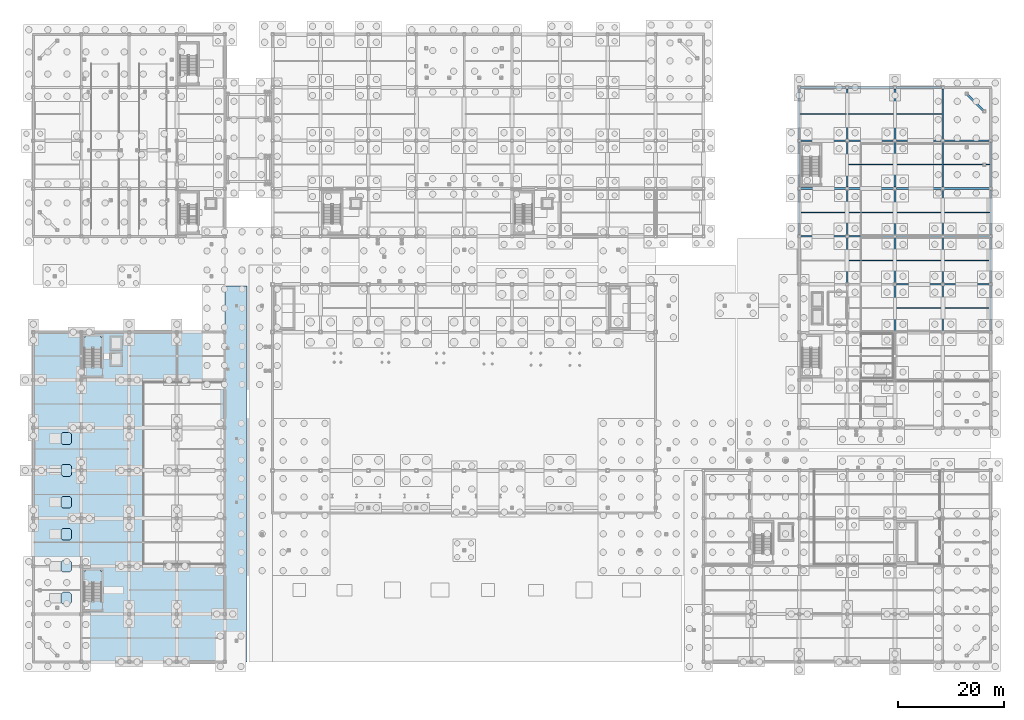
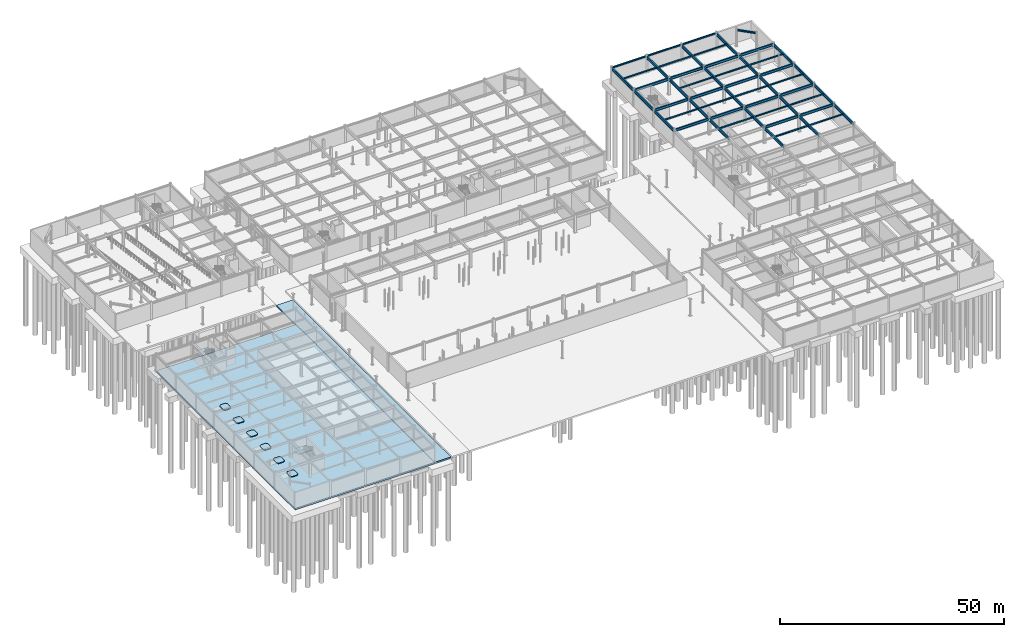
# One storey, part 43 of 74: 54 beams, 10 slabs, 2 elements without a shape of their own.
"""IFC4 building model written with IfcOpenShell, lengths in metres."""

from ifc_helpers import new_model, si_unit, direction, frame, origin, origin_2d, place, context, subcontext, project, spatial, polyline, i_section, outline, extrude, material, layer, layer_set, material_profile, profile_set, type_object, element, aggregate, save


model = new_model("IFC4")

# Units and contexts
model_context = context("Model", 3, precision=1e-05, world=origin(), true_north=direction((0.0, 1.0)))
body_context = subcontext(model_context, "Body", "Model", "MODEL_VIEW")
ifc_project = project(units=[si_unit("LENGTHUNIT", "METRE"), si_unit("AREAUNIT", "SQUARE_METRE"), si_unit("VOLUMEUNIT", "CUBIC_METRE"), si_unit("PLANEANGLEUNIT", "RADIAN"), si_unit("MASSUNIT", "GRAM", prefix="KILO")], contexts=[model_context])

# Site, building, storey
site_placement = place(None, origin())
site = spatial("IfcSite", under=ifc_project, at=site_placement, CompositionType="ELEMENT")
building_placement = place(site_placement, origin())
building = spatial("IfcBuilding", under=site, at=building_placement, Name="Suzunagisa Mobility Hub", CompositionType="ELEMENT")
storey_placement = place(building_placement, frame((0.0, 0.0, -4.800048828125)))
storey = spatial("IfcBuildingStorey", under=building, at=storey_placement, Name="B1", CompositionType="ELEMENT", Elevation=-4.800048828125)

# Beams
ifc_material_1 = material(Name="Steel SN490B", Category="steel")
ifc_material_profile_1 = material_profile(ifc_material_1, i_section(OverallWidth=0.300048828125, OverallDepth=0.800048828125, WebThickness=0.013916015625, FlangeThickness=0.02587890625, FilletRadius=0.01806640625, at=origin_2d()), Name="H-800x300x14x26")
ifc_profile_set_1 = profile_set([ifc_material_profile_1], Name="Steel SN490B")
beam_type_1 = type_object("IfcBeamType", Name="Steel Beam BM-09 H-800x300x14x26", PredefinedType="BEAM", material=ifc_profile_set_1)
for number, where, z_axis, x_axis, name in (
    (1, (144.0, 80.24609375, 4.1201171875), (0.0, 1.0, 0.0), (-1.0, 0.0, 0.0), "B1 Primary Girder GY-1652"),
    (2, (144.0, 89.24609375, 4.1201171875), (0.0, 1.0, 0.0), (-1.0, 0.0, 0.0), "B1 Primary Girder GY-1653"),
):
    element("IfcBeam", number, at=place(storey_placement, frame(where, z_axis=z_axis, x_axis=x_axis)), inside=storey, type_object=beam_type_1, Name=name, PredefinedType="BEAM", context=body_context, shape_type="SweptSolid", body=[
        extrude(i_section(OverallWidth=0.300048828125, OverallDepth=0.800048828125, WebThickness=0.013916015625, FlangeThickness=0.02587890625, FilletRadius=0.01806640625, at=origin_2d()), origin(), (0.0, 0.0, 1.0), 8.5078125),
    ])
beam_1_placement = place(storey_placement, frame((144.0, 98.24609375, 4.1201171875), z_axis=(0.0, 1.0, 0.0), x_axis=(-1.0, 0.0, 0.0)))
element("IfcBeam", 3, at=beam_1_placement, inside=storey, type_object=beam_type_1, Name="B1 Primary Girder GY-1654", PredefinedType="BEAM", context=body_context, shape_type="SweptSolid", body=[
    extrude(i_section(OverallWidth=0.300048828125, OverallDepth=0.800048828125, WebThickness=0.013916015625, FlangeThickness=0.02587890625, FilletRadius=0.01806640625, at=origin_2d()), origin(), (0.0, 0.0, 1.0), 9.5078125),
])
for number, where, z_axis, x_axis, name in (
    (4, (153.0, 71.24609375, 4.1201171875), (0.0, 1.0, 0.0), (-1.0, 0.0, 0.0), "B1 Primary Girder GY-1658"),
    (5, (153.0, 80.24609375, 4.1201171875), (0.0, 1.0, 0.0), (-1.0, 0.0, 0.0), "B1 Primary Girder GY-1659"),
    (6, (153.0, 89.24609375, 4.1201171875), (0.0, 1.0, 0.0), (-1.0, 0.0, 0.0), "B1 Primary Girder GY-1660"),
):
    element("IfcBeam", number, at=place(storey_placement, frame(where, z_axis=z_axis, x_axis=x_axis)), inside=storey, type_object=beam_type_1, Name=name, PredefinedType="BEAM", context=body_context, shape_type="SweptSolid", body=[
        extrude(i_section(OverallWidth=0.300048828125, OverallDepth=0.800048828125, WebThickness=0.013916015625, FlangeThickness=0.02587890625, FilletRadius=0.01806640625, at=origin_2d()), origin(), (0.0, 0.0, 1.0), 8.5078125),
    ])
beam_2_placement = place(storey_placement, frame((153.0, 98.24609375, 4.1201171875), z_axis=(0.0, 1.0, 0.0), x_axis=(-1.0, 0.0, 0.0)))
element("IfcBeam", 7, at=beam_2_placement, inside=storey, type_object=beam_type_1, Name="B1 Primary Girder GY-1661", PredefinedType="BEAM", context=body_context, shape_type="SweptSolid", body=[
    extrude(i_section(OverallWidth=0.300048828125, OverallDepth=0.800048828125, WebThickness=0.013916015625, FlangeThickness=0.02587890625, FilletRadius=0.01806640625, at=origin_2d()), origin(), (0.0, 0.0, 1.0), 9.5078125),
])
for number, where, z_axis, x_axis, name in (
    (8, (162.0, 62.24609375, 4.1201171875), (0.0, 1.0, 0.0), (-1.0, 0.0, 0.0), "B1 Primary Girder GY-1664"),
    (9, (162.0, 71.24609375, 4.1201171875), (0.0, 1.0, 0.0), (-1.0, 0.0, 0.0), "B1 Primary Girder GY-1665"),
    (10, (162.0, 80.24609375, 4.1201171875), (0.0, 1.0, 0.0), (-1.0, 0.0, 0.0), "B1 Primary Girder GY-1666"),
    (11, (162.0, 89.24609375, 4.1201171875), (0.0, 1.0, 0.0), (-1.0, 0.0, 0.0), "B1 Primary Girder GY-1667"),
):
    element("IfcBeam", number, at=place(storey_placement, frame(where, z_axis=z_axis, x_axis=x_axis)), inside=storey, type_object=beam_type_1, Name=name, PredefinedType="BEAM", context=body_context, shape_type="SweptSolid", body=[
        extrude(i_section(OverallWidth=0.300048828125, OverallDepth=0.800048828125, WebThickness=0.013916015625, FlangeThickness=0.02587890625, FilletRadius=0.01806640625, at=origin_2d()), origin(), (0.0, 0.0, 1.0), 8.5078125),
    ])
beam_3_placement = place(storey_placement, frame((162.0, 98.24609375, 4.1201171875), z_axis=(0.0, 1.0, 0.0), x_axis=(-1.0, 0.0, 0.0)))
element("IfcBeam", 12, at=beam_3_placement, inside=storey, type_object=beam_type_1, Name="B1 Primary Girder GY-1668", PredefinedType="BEAM", context=body_context, shape_type="SweptSolid", body=[
    extrude(i_section(OverallWidth=0.300048828125, OverallDepth=0.800048828125, WebThickness=0.013916015625, FlangeThickness=0.02587890625, FilletRadius=0.01806640625, at=origin_2d()), origin(), (0.0, 0.0, 1.0), 9.5078125),
])
for number, where, z_axis, x_axis, name in (
    (13, (171.0, 62.24609375, 4.1201171875), (0.0, 1.0, 0.0), (-1.0, 0.0, 0.0), "B1 Primary Girder GY-1671"),
    (14, (171.0, 71.24609375, 4.1201171875), (0.0, 1.0, 0.0), (-1.0, 0.0, 0.0), "B1 Primary Girder GY-1672"),
    (15, (171.0, 80.24609375, 4.1201171875), (0.0, 1.0, 0.0), (-1.0, 0.0, 0.0), "B1 Primary Girder GY-1673"),
    (16, (171.0, 89.24609375, 4.1201171875), (0.0, 1.0, 0.0), (-1.0, 0.0, 0.0), "B1 Primary Girder GY-1674"),
):
    element("IfcBeam", number, at=place(storey_placement, frame(where, z_axis=z_axis, x_axis=x_axis)), inside=storey, type_object=beam_type_1, Name=name, PredefinedType="BEAM", context=body_context, shape_type="SweptSolid", body=[
        extrude(i_section(OverallWidth=0.300048828125, OverallDepth=0.800048828125, WebThickness=0.013916015625, FlangeThickness=0.02587890625, FilletRadius=0.01806640625, at=origin_2d()), origin(), (0.0, 0.0, 1.0), 8.5078125),
    ])
beam_4_placement = place(storey_placement, frame((171.0, 98.24609375, 4.1201171875), z_axis=(0.0, 1.0, 0.0), x_axis=(-1.0, 0.0, 0.0)))
element("IfcBeam", 17, at=beam_4_placement, inside=storey, type_object=beam_type_1, Name="B1 Primary Girder GY-1675", PredefinedType="BEAM", context=body_context, shape_type="SweptSolid", body=[
    extrude(i_section(OverallWidth=0.300048828125, OverallDepth=0.800048828125, WebThickness=0.013916015625, FlangeThickness=0.02587890625, FilletRadius=0.01806640625, at=origin_2d()), origin(), (0.0, 0.0, 1.0), 9.5078125),
])
for number, where, z_axis, x_axis, name in (
    (18, (180.0, 62.24609375, 4.1201171875), (0.0, 1.0, 0.0), (-1.0, 0.0, 0.0), "B1 Primary Girder GY-1678"),
    (19, (180.0, 71.24609375, 4.1201171875), (0.0, 1.0, 0.0), (-1.0, 0.0, 0.0), "B1 Primary Girder GY-1679"),
    (20, (180.0, 80.24609375, 4.1201171875), (0.0, 1.0, 0.0), (-1.0, 0.0, 0.0), "B1 Primary Girder GY-1680"),
    (21, (180.0, 89.24609375, 4.1201171875), (0.0, 1.0, 0.0), (-1.0, 0.0, 0.0), "B1 Primary Girder GY-1681"),
):
    element("IfcBeam", number, at=place(storey_placement, frame(where, z_axis=z_axis, x_axis=x_axis)), inside=storey, type_object=beam_type_1, Name=name, PredefinedType="BEAM", context=body_context, shape_type="SweptSolid", body=[
        extrude(i_section(OverallWidth=0.300048828125, OverallDepth=0.800048828125, WebThickness=0.013916015625, FlangeThickness=0.02587890625, FilletRadius=0.01806640625, at=origin_2d()), origin(), (0.0, 0.0, 1.0), 8.5078125),
    ])
ifc_material_profile_2 = material_profile(ifc_material_1, i_section(OverallWidth=0.300048828125, OverallDepth=0.699951171875, WebThickness=0.012939453125, FlangeThickness=0.02392578125, FilletRadius=0.01806640625, at=origin_2d()), Name="H-700x300x13x24")
ifc_profile_set_2 = profile_set([ifc_material_profile_2], Name="Steel SN490B")
beam_type_2 = type_object("IfcBeamType", Name="Steel Beam BM-11 H-700x300x13x24", PredefinedType="BEAM", material=ifc_profile_set_2)
for number, where, z_axis, x_axis, name in (
    (22, (162.24609375, 71.0, 4.170166015625), (1.0, 0.0, 0.0), (0.0, 1.0, 0.0), "B1 Primary Girder GX-1631"),
    (23, (171.24609375, 71.0, 4.170166015625), (1.0, 0.0, 0.0), (0.0, 1.0, 0.0), "B1 Primary Girder GX-1632"),
    (24, (144.24609375, 80.0, 4.170166015625), (1.0, 0.0, 0.0), (0.0, 1.0, 0.0), "B1 Primary Girder GX-1633"),
    (25, (153.24609375, 80.0, 4.170166015625), (1.0, 0.0, 0.0), (0.0, 1.0, 0.0), "B1 Primary Girder GX-1634"),
    (26, (162.24609375, 80.0, 4.170166015625), (1.0, 0.0, 0.0), (0.0, 1.0, 0.0), "B1 Primary Girder GX-1635"),
    (27, (171.24609375, 80.0, 4.170166015625), (1.0, 0.0, 0.0), (0.0, 1.0, 0.0), "B1 Primary Girder GX-1636"),
    (28, (144.24609375, 89.0, 4.170166015625), (1.0, 0.0, 0.0), (0.0, 1.0, 0.0), "B1 Primary Girder GX-1637"),
    (29, (153.24609375, 89.0, 4.170166015625), (1.0, 0.0, 0.0), (0.0, 1.0, 0.0), "B1 Primary Girder GX-1638"),
    (30, (162.24609375, 89.0, 4.170166015625), (1.0, 0.0, 0.0), (0.0, 1.0, 0.0), "B1 Primary Girder GX-1639"),
    (31, (171.24609375, 89.0, 4.170166015625), (1.0, 0.0, 0.0), (0.0, 1.0, 0.0), "B1 Primary Girder GX-1640"),
    (32, (144.24609375, 98.0, 4.170166015625), (1.0, 0.0, 0.0), (0.0, 1.0, 0.0), "B1 Primary Girder GX-1641"),
    (33, (153.24609375, 98.0, 4.170166015625), (1.0, 0.0, 0.0), (0.0, 1.0, 0.0), "B1 Primary Girder GX-1642"),
    (34, (162.24609375, 98.0, 4.170166015625), (1.0, 0.0, 0.0), (0.0, 1.0, 0.0), "B1 Primary Girder GX-1643"),
    (35, (171.24609375, 98.0, 4.170166015625), (1.0, 0.0, 0.0), (0.0, 1.0, 0.0), "B1 Primary Girder GX-1644"),
):
    element("IfcBeam", number, at=place(storey_placement, frame(where, z_axis=z_axis, x_axis=x_axis)), inside=storey, type_object=beam_type_2, Name=name, PredefinedType="BEAM", context=body_context, shape_type="SweptSolid", body=[
        extrude(i_section(OverallWidth=0.300048828125, OverallDepth=0.699951171875, WebThickness=0.012939453125, FlangeThickness=0.02392578125, FilletRadius=0.01806640625, at=origin_2d()), origin(), (0.0, 0.0, 1.0), 8.5078125),
    ])
ifc_material_profile_3 = material_profile(ifc_material_1, i_section(OverallWidth=0.39990234375, OverallDepth=0.39990234375, WebThickness=0.012939453125, FlangeThickness=0.02099609375, FilletRadius=0.01611328125, at=origin_2d()), Name="H-400x400x13x21")
ifc_profile_set_3 = profile_set([ifc_material_profile_3], Name="Steel SN490B")
beam_type_3 = type_object("IfcBeamType", Name="Steel Beam BM-12 H-400x400x13x21", PredefinedType="SPANDREL", material=ifc_profile_set_3)
beam_5_placement = place(storey_placement, frame((178.632568359375, 103.66162109375, 4.320068359375), z_axis=(-0.707106781187, 0.707106781187, 0.0), x_axis=(-0.707106781187, -0.707106781187, 0.0)))
element("IfcBeam", 36, at=beam_5_placement, inside=storey, type_object=beam_type_3, Name="B1 Streamline Prow Spandrel 1682", PredefinedType="SPANDREL", context=body_context, shape_type="SweptSolid", body=[
    extrude(i_section(OverallWidth=0.39990234375, OverallDepth=0.39990234375, WebThickness=0.012939453125, FlangeThickness=0.02099609375, FilletRadius=0.01611328125, at=origin_2d()), origin(), (0.0, 0.0, 1.0), 4.20166015625),
])
ifc_material_profile_4 = material_profile(ifc_material_1, i_section(OverallWidth=0.300048828125, OverallDepth=0.389892578125, WebThickness=0.010009765625, FlangeThickness=0.01611328125, FilletRadius=0.012939453125, at=origin_2d()), Name="H-390x300x10x16")
ifc_profile_set_4 = profile_set([ifc_material_profile_4], Name="Steel SN490B")
beam_type_4 = type_object("IfcBeamType", Name="Steel Beam BM-13 H-390x300x10x16", PredefinedType="SPANDREL", material=ifc_profile_set_4)
for number, where, z_axis, x_axis, name in (
    (37, (144.24609375, 108.0, 4.324951171875), (1.0, 0.0, 0.0), (0.0, 1.0, 0.0), "B1 Primary Girder GX-1645"),
    (38, (153.24609375, 108.0, 4.324951171875), (1.0, 0.0, 0.0), (0.0, 1.0, 0.0), "B1 Primary Girder GX-1646"),
    (39, (162.24609375, 108.0, 4.324951171875), (1.0, 0.0, 0.0), (0.0, 1.0, 0.0), "B1 Primary Girder GX-1647"),
):
    element("IfcBeam", number, at=place(storey_placement, frame(where, z_axis=z_axis, x_axis=x_axis)), inside=storey, type_object=beam_type_4, Name=name, PredefinedType="SPANDREL", context=body_context, shape_type="SweptSolid", body=[
        extrude(i_section(OverallWidth=0.300048828125, OverallDepth=0.389892578125, WebThickness=0.010009765625, FlangeThickness=0.01611328125, FilletRadius=0.012939453125, at=origin_2d()), origin(), (0.0, 0.0, 1.0), 8.5078125),
    ])
ifc_material_2 = material(Name="Steel SN400B", Category="steel")
ifc_material_profile_5 = material_profile(ifc_material_2, i_section(OverallWidth=0.199951171875, OverallDepth=0.39990234375, WebThickness=0.008056640625, FlangeThickness=0.012939453125, FilletRadius=0.012939453125, at=origin_2d()), Name="H-400x200x8x13")
ifc_profile_set_5 = profile_set([ifc_material_profile_5], Name="Steel SN400B")
beam_type_5 = type_object("IfcBeamType", Name="Steel Beam BM-14 H-400x200x8x13", PredefinedType="JOIST", material=ifc_profile_set_5)
for number, where, z_axis, x_axis, name in (
    (40, (144.14990234375, 84.5, 4.320068359375), (1.0, 0.0, 0.0), (0.0, 1.0, 0.0), "B1 Composite Floor Joist J-1685"),
    (41, (144.14990234375, 103.0, 4.320068359375), (1.0, 0.0, 0.0), (0.0, 1.0, 0.0), "B1 Composite Floor Joist J-1686"),
    (42, (153.14990234375, 75.5, 4.320068359375), (1.0, 0.0, 0.0), (0.0, 1.0, 0.0), "B1 Composite Floor Joist J-1690"),
    (43, (153.14990234375, 84.5, 4.320068359375), (1.0, 0.0, 0.0), (0.0, 1.0, 0.0), "B1 Composite Floor Joist J-1691"),
    (44, (153.14990234375, 93.5, 4.320068359375), (1.0, 0.0, 0.0), (0.0, 1.0, 0.0), "B1 Composite Floor Joist J-1692"),
    (45, (153.14990234375, 103.0, 4.320068359375), (1.0, 0.0, 0.0), (0.0, 1.0, 0.0), "B1 Composite Floor Joist J-1693"),
    (46, (162.14990234375, 66.5, 4.320068359375), (1.0, 0.0, 0.0), (0.0, 1.0, 0.0), "B1 Composite Floor Joist J-1695"),
    (47, (162.14990234375, 75.5, 4.320068359375), (1.0, 0.0, 0.0), (0.0, 1.0, 0.0), "B1 Composite Floor Joist J-1696"),
    (48, (162.14990234375, 84.5, 4.320068359375), (1.0, 0.0, 0.0), (0.0, 1.0, 0.0), "B1 Composite Floor Joist J-1697"),
    (49, (162.14990234375, 93.5, 4.320068359375), (1.0, 0.0, 0.0), (0.0, 1.0, 0.0), "B1 Composite Floor Joist J-1698"),
    (50, (162.14990234375, 103.0, 4.320068359375), (1.0, 0.0, 0.0), (0.0, 1.0, 0.0), "B1 Composite Floor Joist J-1699"),
    (51, (171.14990234375, 66.5, 4.320068359375), (1.0, 0.0, 0.0), (0.0, 1.0, 0.0), "B1 Composite Floor Joist J-1702"),
    (52, (171.14990234375, 75.5, 4.320068359375), (1.0, 0.0, 0.0), (0.0, 1.0, 0.0), "B1 Composite Floor Joist J-1703"),
    (53, (171.14990234375, 84.5, 4.320068359375), (1.0, 0.0, 0.0), (0.0, 1.0, 0.0), "B1 Composite Floor Joist J-1704"),
    (54, (171.14990234375, 93.5, 4.320068359375), (1.0, 0.0, 0.0), (0.0, 1.0, 0.0), "B1 Composite Floor Joist J-1705"),
):
    element("IfcBeam", number, at=place(storey_placement, frame(where, z_axis=z_axis, x_axis=x_axis)), inside=storey, type_object=beam_type_5, Name=name, PredefinedType="JOIST", context=body_context, shape_type="SweptSolid", body=[
        extrude(i_section(OverallWidth=0.199951171875, OverallDepth=0.39990234375, WebThickness=0.008056640625, FlangeThickness=0.012939453125, FilletRadius=0.012939453125, at=origin_2d()), origin(), (0.0, 0.0, 1.0), 8.7001953125),
    ])

# Slabs
ifc_material_3 = material(Name="Concrete C35/45", Category="concrete")
ifc_layer_1 = layer(ifc_material_3, 0.419921875)
ifc_layer_set_1 = layer_set([ifc_layer_1], Name="Concrete C35/45")
slab_type_1 = type_object("IfcSlabType", Name="Composite Slab SL-05 420mm", PredefinedType="BASESLAB", material=ifc_layer_set_1)
slab_1_placement = place(storey_placement, frame((0.0, 0.0, -0.419921875)))
element("IfcSlab", 55, at=slab_1_placement, inside=storey, type_object=slab_type_1, Name="B1 V5 Baseslab Slab", PredefinedType="BASESLAB", context=body_context, shape_type="SweptSolid", body=[
    extrude(outline(polyline([(0.0, 0.0), (36.0, 0.0), (36.0, 62.0), (0.0, 62.0), (0.0, 0.0)])), origin(), (0.0, 0.0, 1.0), 0.419921875),
])
slab_2_placement = place(storey_placement, frame((0.0, 0.0, -0.419921875)))
element("IfcSlab", 56, at=slab_2_placement, inside=storey, type_object=slab_type_1, Name="B1 V5 Courtyard Margin Foundation Mat", PredefinedType="BASESLAB", context=body_context, shape_type="SweptSolid", body=[
    extrude(outline(polyline([(36.0, 0.0), (40.199951171875, 0.0), (40.199951171875, 70.64990234375), (36.0, 70.64990234375), (36.0, 0.0)])), origin(), (0.0, 0.0, 1.0), 0.419921875),
])
slab_3_placement = place(storey_placement, origin())
element("IfcSlab", 57, at=slab_3_placement, inside=storey, type_object=slab_type_1, Name="Barrier-Free Raised Cycle Platform PR-01", PredefinedType="BASESLAB", context=body_context, shape_type="SweptSolid", body=[
    extrude(outline(polyline([(5.550048828125, 10.89990234375), (6.85009765625, 10.89990234375), (7.199951171875, 11.25), (7.199951171875, 12.75), (6.85009765625, 13.10009765625), (5.550048828125, 13.10009765625), (5.199951171875, 12.75), (5.199951171875, 11.25), (5.550048828125, 10.89990234375)])), origin(), (0.0, 0.0, 1.0), 0.199951171875),
])
slab_4_placement = place(storey_placement, origin())
element("IfcSlab", 58, at=slab_4_placement, inside=storey, type_object=slab_type_1, Name="Barrier-Free Raised Cycle Platform PR-02", PredefinedType="BASESLAB", context=body_context, shape_type="SweptSolid", body=[
    extrude(outline(polyline([(5.550048828125, 16.89990234375), (6.85009765625, 16.89990234375), (7.199951171875, 17.25), (7.199951171875, 18.75), (6.85009765625, 19.10009765625), (5.550048828125, 19.10009765625), (5.199951171875, 18.75), (5.199951171875, 17.25), (5.550048828125, 16.89990234375)])), origin(), (0.0, 0.0, 1.0), 0.199951171875),
])
slab_5_placement = place(storey_placement, origin())
element("IfcSlab", 59, at=slab_5_placement, inside=storey, type_object=slab_type_1, Name="Barrier-Free Raised Cycle Platform PR-03", PredefinedType="BASESLAB", context=body_context, shape_type="SweptSolid", body=[
    extrude(outline(polyline([(5.550048828125, 22.89990234375), (6.85009765625, 22.89990234375), (7.199951171875, 23.25), (7.199951171875, 24.75), (6.85009765625, 25.10009765625), (5.550048828125, 25.10009765625), (5.199951171875, 24.75), (5.199951171875, 23.25), (5.550048828125, 22.89990234375)])), origin(), (0.0, 0.0, 1.0), 0.199951171875),
])
slab_6_placement = place(storey_placement, origin())
element("IfcSlab", 60, at=slab_6_placement, inside=storey, type_object=slab_type_1, Name="Barrier-Free Raised Cycle Platform PR-04", PredefinedType="BASESLAB", context=body_context, shape_type="SweptSolid", body=[
    extrude(outline(polyline([(5.550048828125, 28.89990234375), (6.85009765625, 28.89990234375), (7.199951171875, 29.25), (7.199951171875, 30.75), (6.85009765625, 31.10009765625), (5.550048828125, 31.10009765625), (5.199951171875, 30.75), (5.199951171875, 29.25), (5.550048828125, 28.89990234375)])), origin(), (0.0, 0.0, 1.0), 0.199951171875),
])
slab_7_placement = place(storey_placement, origin())
element("IfcSlab", 61, at=slab_7_placement, inside=storey, type_object=slab_type_1, Name="Barrier-Free Raised Cycle Platform PR-05", PredefinedType="BASESLAB", context=body_context, shape_type="SweptSolid", body=[
    extrude(outline(polyline([(5.550048828125, 34.89990234375), (6.85009765625, 34.89990234375), (7.199951171875, 35.25), (7.199951171875, 36.75), (6.85009765625, 37.10009765625), (5.550048828125, 37.10009765625), (5.199951171875, 36.75), (5.199951171875, 35.25), (5.550048828125, 34.89990234375)])), origin(), (0.0, 0.0, 1.0), 0.199951171875),
])
slab_8_placement = place(storey_placement, origin())
element("IfcSlab", 62, at=slab_8_placement, inside=storey, type_object=slab_type_1, Name="Barrier-Free Raised Cycle Platform PR-06", PredefinedType="BASESLAB", context=body_context, shape_type="SweptSolid", body=[
    extrude(outline(polyline([(5.550048828125, 40.89990234375), (6.85009765625, 40.89990234375), (7.199951171875, 41.25), (7.199951171875, 42.75), (6.85009765625, 43.10009765625), (5.550048828125, 43.10009765625), (5.199951171875, 42.75), (5.199951171875, 41.25), (5.550048828125, 40.89990234375)])), origin(), (0.0, 0.0, 1.0), 0.199951171875),
])

# Stair, slab
stair_type_1 = type_object("IfcStairType", Name="Dog-Leg Core Escape Stair ST-01 W1560", PredefinedType="HALF_TURN_STAIR", material=ifc_material_3)
stair_1_placement = place(storey_placement, origin())
stair_1 = element("IfcStair", 63, at=stair_1_placement, inside=storey, type_object=stair_type_1, Name="B1 Core C1 Escape Stair ST-01", PredefinedType="HALF_TURN_STAIR")
ifc_layer_2 = layer(ifc_material_3, 0.199951171875)
ifc_layer_set_2 = layer_set([ifc_layer_2], Name="Concrete C35/45")
slab_type_2 = type_object("IfcSlabType", Name="Core Stair Half-Landing Slab SL-SLND", PredefinedType="LANDING", material=ifc_layer_set_2)
slab_9_placement = place(storey_placement, frame((0.0, 0.0, 2.199951171875)))
slab_9 = element("IfcSlab", 64, at=slab_9_placement, type_object=slab_type_2, Name="ST-01 landing 1", PredefinedType="LANDING", context=body_context, shape_type="SweptSolid", body=[
    extrude(outline(polyline([(9.4599609375, 58.919921875), (12.93994140625, 58.919921875), (12.93994140625, 60.820068359375), (12.4599609375, 61.300048828125), (9.93994140625, 61.300048828125), (9.4599609375, 60.820068359375), (9.4599609375, 58.919921875)])), origin(), (0.0, 0.0, 1.0), 0.2001953125),
])
aggregate(stair_1, [slab_9])

stair_type_2 = type_object("IfcStairType", Name="Dog-Leg Core Escape Stair ST-02 W1560", PredefinedType="HALF_TURN_STAIR", material=ifc_material_3)
stair_2_placement = place(storey_placement, origin())
stair_2 = element("IfcStair", 65, at=stair_2_placement, inside=storey, type_object=stair_type_2, Name="B1 Core C1B Escape Stair ST-02", PredefinedType="HALF_TURN_STAIR")
slab_10_placement = place(storey_placement, frame((0.0, 0.0, 2.199951171875)))
slab_10 = element("IfcSlab", 66, at=slab_10_placement, type_object=slab_type_2, Name="ST-02 landing 1", PredefinedType="LANDING", context=body_context, shape_type="SweptSolid", body=[
    extrude(outline(polyline([(9.4599609375, 14.919921875), (12.93994140625, 14.919921875), (12.93994140625, 16.820068359375), (12.4599609375, 17.300048828125), (9.93994140625, 17.300048828125), (9.4599609375, 16.820068359375), (9.4599609375, 14.919921875)])), origin(), (0.0, 0.0, 1.0), 0.2001953125),
])
aggregate(stair_2, [slab_10])

save(model, "model.ifc")
